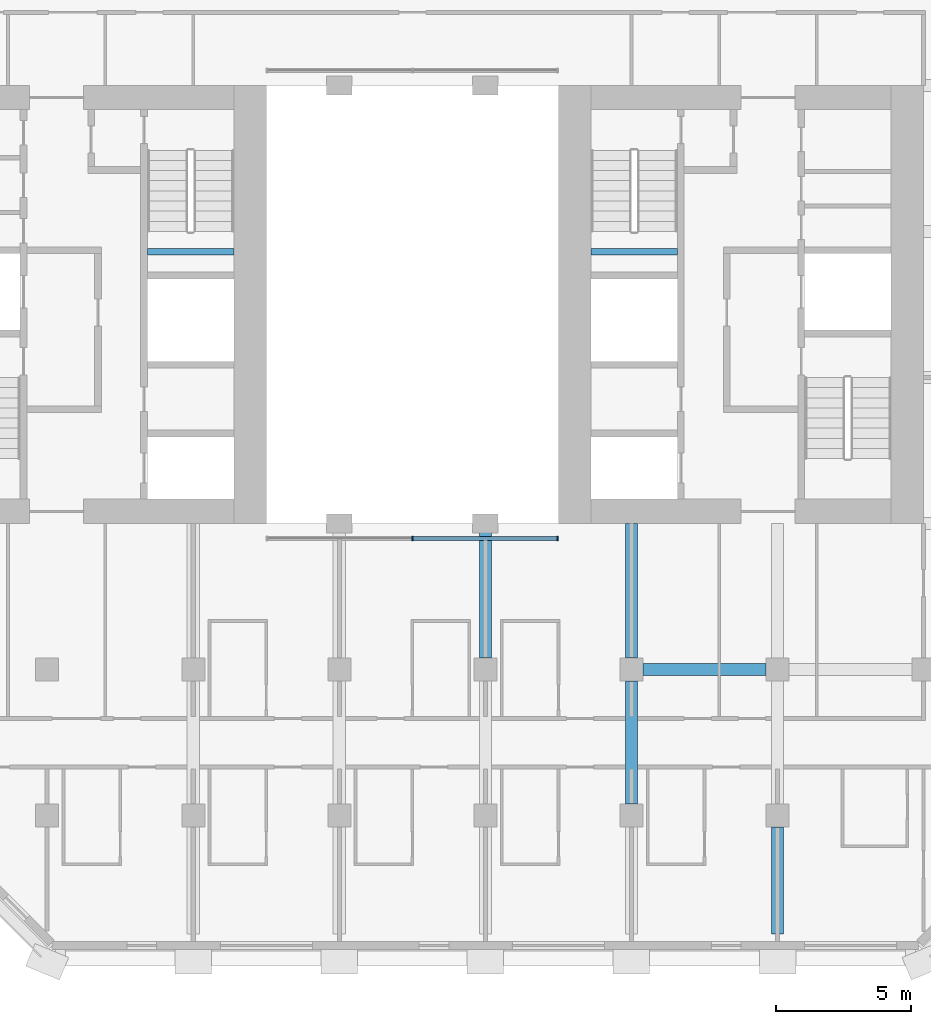
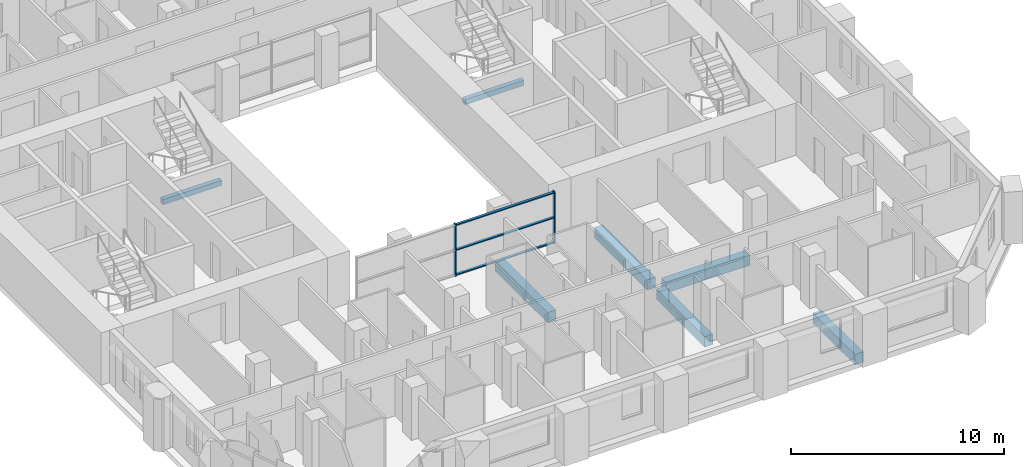
# One storey, part 4 of 16: 7 beams, 5 members, 1 element without a shape of its own.
"""IFC4 building model written with IfcOpenShell, lengths in metres."""

import ifcopenshell
import ifcopenshell.guid

model = None  # the IFC model being written
_history = None  # IfcOwnerHistory: only IFC2X3 demands one
_inside = {}  # id of a spatial element -> (the spatial element, [elements in it])
_under = {}  # id of a project, library or spatial element -> (it, [spatial elements below it])
_declared = {}  # id of a project -> (the project, [libraries it declares])
_typed = {}  # id of a type object -> (the type object, [elements of that type])
_made_of = {}  # id of a material, layer set ... -> (it, [elements and type objects made of it])


def new_model(schema):
    """Start an empty IFC model of exactly this schema.

    Asked for "IFC4X3", IfcOpenShell would pick the latest addendum, in which some entities
    have other attributes; the version numbers below select the first issue.
    IFC2X3 requires an IfcOwnerHistory on every rooted entity: one is made here for all.
    """
    global model, _history
    if schema == "IFC4X3":
        model = ifcopenshell.file(schema_version=(4, 3, 0, 0))
    else:
        model = ifcopenshell.file(schema=schema)
    _inside.clear()
    _under.clear()
    _declared.clear()
    _typed.clear()
    _made_of.clear()
    _history = None
    if model.schema == "IFC2X3":
        org = make("IfcOrganization", Name="unknown")
        user = make(
            "IfcPersonAndOrganization",
            ThePerson=make("IfcPerson", FamilyName="unknown"),
            TheOrganization=org,
        )
        app = make(
            "IfcApplication",
            ApplicationDeveloper=org,
            Version="unknown",
            ApplicationFullName="unknown",
            ApplicationIdentifier="unknown",
        )
        _history = make(
            "IfcOwnerHistory",
            OwningUser=user,
            OwningApplication=app,
            ChangeAction="ADDED",
            CreationDate=0,
        )
    return model


def make(cls, **values):
    """One entity of the class cls with the attributes given. An attribute that is None is left unset."""
    return model.create_entity(
        cls, **{name: value for name, value in values.items() if value is not None}
    )


def rooted(cls, **values):
    """An entity with a GlobalId (a new one), such as an element, a storey or a relation."""
    return make(cls, GlobalId=ifcopenshell.guid.new(), OwnerHistory=_history, **values)


def si_unit(unit_type, name, prefix=None):
    """IfcSIUnit, for example si_unit("LENGTHUNIT", "METRE", prefix="MILLI")."""
    return make("IfcSIUnit", UnitType=unit_type, Prefix=prefix, Name=name)


def assignment(units):
    """IfcUnitAssignment: the units of a project."""
    return None if units is None else make("IfcUnitAssignment", Units=units)


def point(xyz):
    """IfcCartesianPoint."""
    return None if xyz is None else make("IfcCartesianPoint", Coordinates=xyz)


def direction(xyz):
    """IfcDirection."""
    return None if xyz is None else make("IfcDirection", DirectionRatios=xyz)


def frame(location, z_axis=None, x_axis=None):
    """IfcAxis2Placement3D, a coordinate frame: its origin and axes. An axis left out is left unset."""
    return make(
        "IfcAxis2Placement3D",
        Location=point(location),
        Axis=direction(z_axis),
        RefDirection=direction(x_axis),
    )


def frame_2d(location, x_axis=None):
    """IfcAxis2Placement2D, a coordinate frame in the plane: its origin and x axis."""
    return make(
        "IfcAxis2Placement2D", Location=point(location), RefDirection=direction(x_axis)
    )


def origin():
    """The frame at (0, 0, 0) with its axes left unset."""
    return frame((0.0, 0.0, 0.0))


def origin_2d():
    """The frame at (0, 0) in the plane with its x axis left unset."""
    return frame_2d((0.0, 0.0))


def place(relative_to, where):
    """IfcLocalPlacement: puts the frame where relative to a parent placement (None: the world)."""
    return make(
        "IfcLocalPlacement", PlacementRelTo=relative_to, RelativePlacement=where
    )


def context(
    kind, dimensions, precision=None, world=None, true_north=None, identifier=None
):
    """IfcGeometricRepresentationContext, for example the 3D "Model" context."""
    return make(
        "IfcGeometricRepresentationContext",
        ContextIdentifier=identifier,
        ContextType=kind,
        CoordinateSpaceDimension=dimensions,
        Precision=precision,
        WorldCoordinateSystem=world,
        TrueNorth=true_north,
    )


def subcontext(parent, identifier, kind, view, scale=None):
    """IfcGeometricRepresentationSubContext, for example "Body" below "Model"."""
    return make(
        "IfcGeometricRepresentationSubContext",
        ContextIdentifier=identifier,
        ContextType=kind,
        ParentContext=parent,
        TargetScale=scale,
        TargetView=view,
    )


def project(units=None, contexts=None):
    """IfcProject with its units and contexts."""
    return rooted(
        "IfcProject",
        Name="project",
        RepresentationContexts=contexts,
        UnitsInContext=assignment(units),
    )


def spatial(cls, under=None, at=None, **own):
    """A site, building, storey or space (cls), placed at a placement, below another one or the project."""
    s = rooted(cls, ObjectPlacement=at, **own)
    if under is not None:
        _under.setdefault(under.id(), (under, []))[1].append(s)
    return s


def profile(cls, at=None, kind="AREA", **sizes):
    """A parametric profile (cls). Its sizes go by their IFC names, for example OverallWidth=200.0."""
    return make(cls, ProfileType=kind, Position=at, **sizes)


def rectangle(**sizes):
    """IfcRectangleProfileDef."""
    return profile("IfcRectangleProfileDef", **sizes)


def extrude(swept, where, along, depth):
    """IfcExtrudedAreaSolid: the profile swept, set in the frame where, extruded along a direction by depth."""
    return make(
        "IfcExtrudedAreaSolid",
        SweptArea=swept,
        Position=where,
        ExtrudedDirection=direction(along),
        Depth=depth,
    )


def shape(context_of_items, identifier, shape_type, items):
    """IfcShapeRepresentation: the items that make up one representation, for example the "Body"."""
    return make(
        "IfcShapeRepresentation",
        ContextOfItems=context_of_items,
        RepresentationIdentifier=identifier,
        RepresentationType=shape_type,
        Items=items,
    )


def material(Name=None, Category=None):
    """IfcMaterial."""
    return make("IfcMaterial", Name=Name, Category=Category)


def material_profile(
    of_material, cross_section, Name=None, Category=None, Priority=None
):
    """IfcMaterialProfile: a cross section and its material."""
    return make(
        "IfcMaterialProfile",
        Name=Name,
        Material=of_material,
        Profile=cross_section,
        Priority=Priority,
        Category=Category,
    )


def profile_set(profiles, Name=None, composite=None):
    """IfcMaterialProfileSet."""
    return make(
        "IfcMaterialProfileSet",
        Name=Name,
        MaterialProfiles=profiles,
        CompositeProfile=composite,
    )


def made_of(thing, what):
    """Note that an element or type object is made of a material, layer set ...; save() writes the relation."""
    if what is not None:
        _made_of.setdefault(what.id(), (what, []))[1].append(thing)
    return thing


def type_object(cls, material=None, **own):
    """A type object (cls), such as IfcWallType, which elements share."""
    return made_of(rooted(cls, **own), material)


def element(
    cls,
    number,
    at=None,
    inside=None,
    cuts=None,
    type_object=None,
    material=None,
    context=None,
    identifier="Body",
    shape_type=None,
    held_by="IfcProductDefinitionShape",
    body=None,
    shapes=None,
    **own,
):
    """One element of the class cls, such as IfcWall. Its Tag is "e" and its number.

    at: its placement. inside: the storey or other place that contains it. cuts: it is an
    opening in that element (IfcRelVoidsElement). A single representation is given by context,
    identifier, shape_type and body (its items); several are given by shapes. held_by: the class
    of the entity that holds the representations. save() writes the other relations.
    """
    e = rooted(cls, Tag="e%d" % number, ObjectPlacement=at, **own)
    if body is not None:
        shapes = [shape(context, identifier, shape_type, body)]
    if shapes is not None:
        e.Representation = make(held_by, Representations=shapes)
    if inside is not None:
        _inside.setdefault(inside.id(), (inside, []))[1].append(e)
    if cuts is not None:
        rooted(
            "IfcRelVoidsElement", RelatingBuildingElement=cuts, RelatedOpeningElement=e
        )
    if type_object is not None:
        _typed.setdefault(type_object.id(), (type_object, []))[1].append(e)
    return made_of(e, material)


def aggregate(whole, parts):
    """IfcRelAggregates: a whole, such as a stair, and the parts it consists of."""
    return rooted("IfcRelAggregates", RelatingObject=whole, RelatedObjects=parts)


def save(model, path):
    """Write the relations noted so far, then the file.

    IfcRelAggregates (storeys below a building ...), IfcRelContainedInSpatialStructure (elements
    in a storey), IfcRelDefinesByType, IfcRelAssociatesMaterial and IfcRelDeclares: one each for
    every whole, place, type object, material and project.
    """
    for whole, parts in _under.values():
        aggregate(whole, parts)
    for where, things in _inside.values():
        rooted(
            "IfcRelContainedInSpatialStructure",
            RelatedElements=things,
            RelatingStructure=where,
        )
    for kind, things in _typed.values():
        rooted("IfcRelDefinesByType", RelatedObjects=things, RelatingType=kind)
    for what, things in _made_of.values():
        rooted("IfcRelAssociatesMaterial", RelatedObjects=things, RelatingMaterial=what)
    for by, libraries in _declared.values():
        rooted("IfcRelDeclares", RelatingContext=by, RelatedDefinitions=libraries)
    model.write(path)


model = new_model("IFC4")

# Units and contexts
model_context = context("Model", 3, precision=1e-05, world=origin(), true_north=direction((0.0, 1.0)))
body_context = subcontext(model_context, "Body", "Model", "MODEL_VIEW")
ifc_project = project(units=[si_unit("LENGTHUNIT", "METRE"), si_unit("AREAUNIT", "SQUARE_METRE"), si_unit("VOLUMEUNIT", "CUBIC_METRE"), si_unit("PLANEANGLEUNIT", "RADIAN"), si_unit("MASSUNIT", "GRAM", prefix="KILO")], contexts=[model_context])

# Site, building, storey
site_placement = place(None, origin())
site = spatial("IfcSite", under=ifc_project, at=site_placement, CompositionType="ELEMENT")
building_placement = place(site_placement, origin())
building = spatial("IfcBuilding", under=site, at=building_placement, Name="Tabaq Tower and Sports Hall", CompositionType="ELEMENT")
storey_placement = place(building_placement, frame((0.0, 0.0, 156.10009765625)))
storey = spatial("IfcBuildingStorey", under=building, at=storey_placement, Name="L36", CompositionType="ELEMENT", Elevation=156.10009765625)

# Curtain wall, members
ifc_material_1 = material(Name="Aluminium alloy 6063-T6 framed glazing", Category="aluminium")
curtain_wall_type = type_object("IfcCurtainWallType", Name="CW1 curtain wall", PredefinedType="USERDEFINED", material=ifc_material_1)
curtain_wall_placement = place(storey_placement, origin())
curtain_wall = element("IfcCurtainWall", 1, at=curtain_wall_placement, inside=storey, type_object=curtain_wall_type, Name="Atrium glazing L36 S", ObjectType="ATRIUM ENCLOSURE", PredefinedType="USERDEFINED")
ifc_material_2 = material(Name="Aluminium alloy 6063-T6", Category="aluminium")
ifc_material_profile_1 = material_profile(ifc_material_2, rectangle(XDim=0.159912109375, YDim=0.06005859375, at=origin_2d()), Name="MULLION 160x60")
ifc_profile_set_1 = profile_set([ifc_material_profile_1], Name="Aluminium alloy 6063-T6")
member_type_1 = type_object("IfcMemberType", Name="CW1 mullion 160x60", PredefinedType="MULLION", material=ifc_profile_set_1)
member_1_placement = place(storey_placement, frame((24.300048828125, 15.64990234375, 0.0), z_axis=(0.0, 0.0, 1.0), x_axis=(0.0, 1.0, 0.0)))
member_1 = element("IfcMember", 2, at=member_1_placement, type_object=member_type_1, Name="CW1 mullion 2", PredefinedType="MULLION", context=body_context, shape_type="SweptSolid", body=[
    extrude(rectangle(XDim=0.159912109375, YDim=0.06005859375, at=origin_2d()), origin(), (0.0, 0.0, 1.0), 3.0),
])
member_2_placement = place(storey_placement, frame((29.669921875, 15.64990234375, 0.0), z_axis=(0.0, 0.0, 1.0), x_axis=(0.0, 1.0, 0.0)))
member_2 = element("IfcMember", 3, at=member_2_placement, type_object=member_type_1, Name="CW1 mullion 3", PredefinedType="MULLION", context=body_context, shape_type="SweptSolid", body=[
    extrude(rectangle(XDim=0.159912109375, YDim=0.06005859375, at=origin_2d()), origin(), (0.0, 0.0, 1.0), 3.0),
])
ifc_material_3 = material(Name="Aluminium alloy 6063-T6", Category="aluminium")
ifc_material_profile_2 = material_profile(ifc_material_3, rectangle(XDim=0.139892578125, YDim=0.06005859375, at=origin_2d()), Name="TRANSOM 140x60")
ifc_profile_set_2 = profile_set([ifc_material_profile_2], Name="Aluminium alloy 6063-T6")
member_type_2 = type_object("IfcMemberType", Name="CW1 transom 140x60", PredefinedType="USERDEFINED", material=ifc_profile_set_2)
member_3_placement = place(storey_placement, frame((24.330078125, 15.64990234375, 0.06982421875), z_axis=(1.0, 0.0, 0.0), x_axis=(0.0, 1.0, 0.0)))
member_3 = element("IfcMember", 4, at=member_3_placement, type_object=member_type_2, Name="CW1 transom 2.1", ObjectType="TRANSOM", PredefinedType="USERDEFINED", context=body_context, shape_type="SweptSolid", body=[
    extrude(rectangle(XDim=0.139892578125, YDim=0.06005859375, at=origin_2d()), origin(), (0.0, 0.0, 1.0), 5.309814453125),
])
member_4_placement = place(storey_placement, frame((24.330078125, 15.64990234375, 1.5), z_axis=(1.0, 0.0, 0.0), x_axis=(0.0, 1.0, 0.0)))
member_4 = element("IfcMember", 5, at=member_4_placement, type_object=member_type_2, Name="CW1 transom 2.2", ObjectType="TRANSOM", PredefinedType="USERDEFINED", context=body_context, shape_type="SweptSolid", body=[
    extrude(rectangle(XDim=0.139892578125, YDim=0.06005859375, at=origin_2d()), origin(), (0.0, 0.0, 1.0), 5.309814453125),
])
member_5_placement = place(storey_placement, frame((24.330078125, 15.64990234375, 2.929931640625), z_axis=(1.0, 0.0, 0.0), x_axis=(0.0, 1.0, 0.0)))
member_5 = element("IfcMember", 6, at=member_5_placement, type_object=member_type_2, Name="CW1 transom 2.3", ObjectType="TRANSOM", PredefinedType="USERDEFINED", context=body_context, shape_type="SweptSolid", body=[
    extrude(rectangle(XDim=0.139892578125, YDim=0.06005859375, at=origin_2d()), origin(), (0.0, 0.0, 1.0), 5.309814453125),
])
aggregate(curtain_wall, [member_1, member_2, member_3, member_4, member_5])

# Beams
ifc_material_4 = material(Name="Concrete C40/50", Category="concrete")
ifc_material_profile_3 = material_profile(ifc_material_4, rectangle(XDim=0.449951171875, YDim=0.60009765625, at=origin_2d()), Name="CB 450x600")
ifc_profile_set_3 = profile_set([ifc_material_profile_3], Name="Concrete C40/50")
beam_type_1 = type_object("IfcBeamType", Name="PT CANTILEVER BEAM CB 450x600 C40/50", PredefinedType="BEAM", material=ifc_profile_set_3)
beam_1_placement = place(storey_placement, frame((37.375, 10.800048828125, -0.60009765625), z_axis=(-1.0, 0.0, 0.0), x_axis=(0.0, -1.0, 0.0)))
element("IfcBeam", 7, at=beam_1_placement, inside=storey, type_object=beam_type_1, Name="Cantilever Beam L36 E2 span 3", PredefinedType="BEAM", context=body_context, shape_type="SweptSolid", body=[
    extrude(rectangle(XDim=0.449951171875, YDim=0.60009765625, at=origin_2d()), origin(), (0.0, 0.0, 1.0), 4.550048828125),
])
beam_2_placement = place(storey_placement, frame((27.0, 11.22509765625, -0.60009765625), z_axis=(0.0, 1.0, 0.0), x_axis=(-1.0, 0.0, 0.0)))
element("IfcBeam", 8, at=beam_2_placement, inside=storey, type_object=beam_type_1, Name="Cantilever Beam L36 S5 span 3", PredefinedType="BEAM", context=body_context, shape_type="SweptSolid", body=[
    extrude(rectangle(XDim=0.449951171875, YDim=0.60009765625, at=origin_2d()), origin(), (0.0, 0.0, 1.0), 4.974853515625),
])
beam_3_placement = place(storey_placement, frame((32.39990234375, 5.824951171875, -0.60009765625), z_axis=(0.0, 1.0, 0.0), x_axis=(-1.0, 0.0, 0.0)))
element("IfcBeam", 9, at=beam_3_placement, inside=storey, type_object=beam_type_1, Name="Cantilever Beam L36 S6 span 2", PredefinedType="BEAM", context=body_context, shape_type="SweptSolid", body=[
    extrude(rectangle(XDim=0.449951171875, YDim=0.60009765625, at=origin_2d()), origin(), (0.0, 0.0, 1.0), 4.550048828125),
])
beam_4_placement = place(storey_placement, frame((32.39990234375, 11.22509765625, -0.60009765625), z_axis=(0.0, 1.0, 0.0), x_axis=(-1.0, 0.0, 0.0)))
element("IfcBeam", 10, at=beam_4_placement, inside=storey, type_object=beam_type_1, Name="Cantilever Beam L36 S6 span 3", PredefinedType="BEAM", context=body_context, shape_type="SweptSolid", body=[
    extrude(rectangle(XDim=0.449951171875, YDim=0.60009765625, at=origin_2d()), origin(), (0.0, 0.0, 1.0), 4.974853515625),
])
beam_5_placement = place(storey_placement, frame((37.800048828125, 1.02490234375, -0.60009765625), z_axis=(0.0, 1.0, 0.0), x_axis=(-1.0, 0.0, 0.0)))
element("IfcBeam", 11, at=beam_5_placement, inside=storey, type_object=beam_type_1, Name="Cantilever Beam L36 S7 span 1", PredefinedType="BEAM", context=body_context, shape_type="SweptSolid", body=[
    extrude(rectangle(XDim=0.449951171875, YDim=0.60009765625, at=origin_2d()), origin(), (0.0, 0.0, 1.0), 3.9501953125),
])
ifc_material_5 = material(Name="Concrete C40/50", Category="concrete")
ifc_material_profile_4 = material_profile(ifc_material_5, rectangle(XDim=0.25, YDim=0.300048828125, at=origin_2d()), Name="RC 250x300")
ifc_profile_set_4 = profile_set([ifc_material_profile_4], Name="Concrete C40/50")
beam_type_2 = type_object("IfcBeamType", Name="Stair landing beam 250x300", PredefinedType="BEAM", material=ifc_profile_set_4)
beam_6_placement = place(storey_placement, frame((14.5, 26.25, 1.2998046875), z_axis=(1.0, 0.0, 0.0), x_axis=(0.0, 1.0, 0.0)))
element("IfcBeam", 12, at=beam_6_placement, inside=storey, type_object=beam_type_2, Name="L36 ST2 landing beam 1", PredefinedType="BEAM", context=body_context, shape_type="SweptSolid", body=[
    extrude(rectangle(XDim=0.25, YDim=0.300048828125, at=origin_2d()), origin(), (0.0, 0.0, 1.0), 3.199951171875),
])
beam_7_placement = place(storey_placement, frame((30.89990234375, 26.25, 1.2998046875), z_axis=(1.0, 0.0, 0.0), x_axis=(0.0, 1.0, 0.0)))
element("IfcBeam", 13, at=beam_7_placement, inside=storey, type_object=beam_type_2, Name="L36 ST4 landing beam 1", PredefinedType="BEAM", context=body_context, shape_type="SweptSolid", body=[
    extrude(rectangle(XDim=0.25, YDim=0.300048828125, at=origin_2d()), origin(), (0.0, 0.0, 1.0), 3.2001953125),
])

save(model, "model.ifc")
